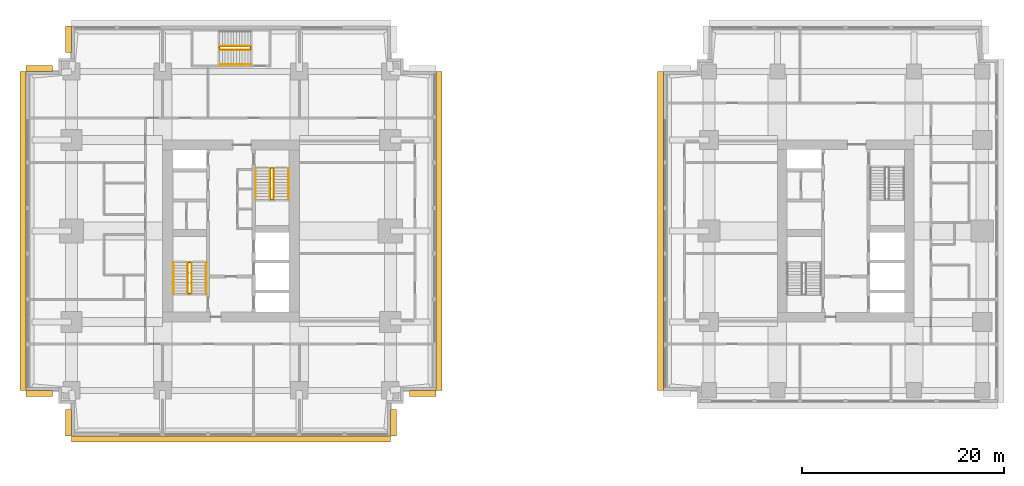
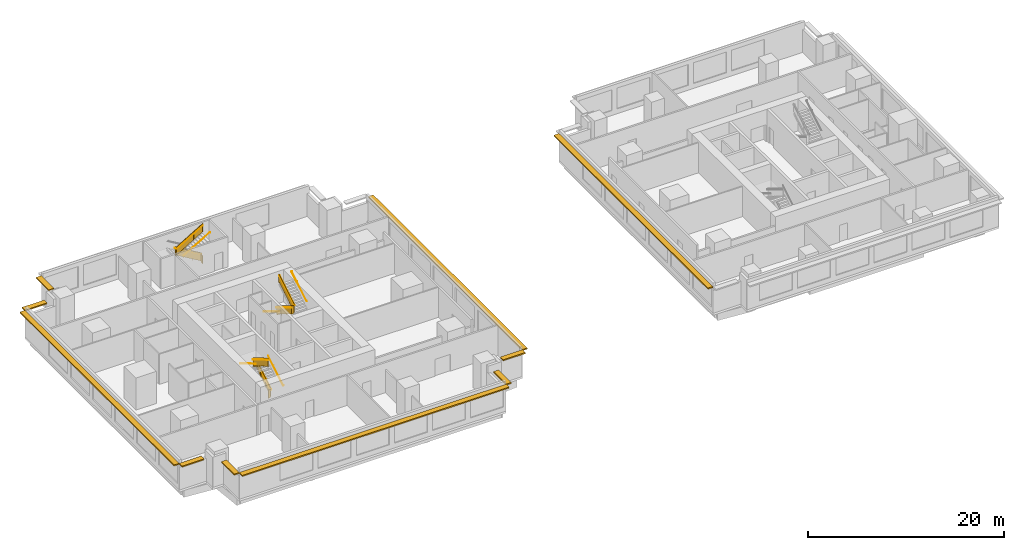
# One storey, part 9 of 10: 14 railings, 10 shading devices.
"""IFC4 building model written with IfcOpenShell, lengths in metres."""

from ifc_helpers import new_model, si_unit, direction, frame, origin, origin_2d, place, context, subcontext, project, spatial, polyline, rectangle, circle, outline, extrude, material, layer, layer_set, type_object, element, save


model = new_model("IFC4")

# Units and contexts
model_context = context("Model", 3, precision=1e-05, world=origin(), true_north=direction((0.0, 1.0)))
body_context = subcontext(model_context, "Body", "Model", "MODEL_VIEW")
ifc_project = project(units=[si_unit("LENGTHUNIT", "METRE"), si_unit("AREAUNIT", "SQUARE_METRE"), si_unit("VOLUMEUNIT", "CUBIC_METRE"), si_unit("PLANEANGLEUNIT", "RADIAN"), si_unit("MASSUNIT", "GRAM", prefix="KILO")], contexts=[model_context])

# Site, building, storey
site_placement = place(None, origin())
site = spatial("IfcSite", under=ifc_project, at=site_placement, CompositionType="ELEMENT")
building_placement = place(site_placement, origin())
building = spatial("IfcBuilding", under=site, at=building_placement, Name="Namib Vertical Campus", CompositionType="ELEMENT")
storey_placement = place(building_placement, frame((0.0, 0.0, 141.0)))
storey = spatial("IfcBuildingStorey", under=building, at=storey_placement, Name="L33", CompositionType="ELEMENT", Elevation=141.0)

# Railings
ifc_material_1 = material(Name="Steel handrail", Category="steel")
railing_type_1 = type_object("IfcRailingType", Name="Handrail 900", PredefinedType="HANDRAIL", material=ifc_material_1)
railing_1_placement = place(storey_placement, frame((17.800048828125, 14.050048828125, 0.166748046875)))
element("IfcRailing", 1, at=railing_1_placement, inside=storey, type_object=railing_type_1, Name="Handrail HR1 A-S1 L33 1", PredefinedType="HANDRAIL", context=body_context, shape_type="SweptSolid", body=[
    extrude(circle(Radius=0.02392578125, at=origin_2d()), frame((0.0, 0.0, 0.8759765625), z_axis=(0.0, 0.859290745958, 0.51148745235), x_axis=(-1.0, 0.0, 0.0)), (0.0, 0.0, 1.0), 3.584228515625),
    extrude(circle(Radius=0.008056640625, at=origin_2d()), frame((0.0, 0.0, 0.8759765625), z_axis=(1.0, 0.0, 0.0), x_axis=(0.0, 0.0, 1.0)), (0.0, 0.0, 1.0), 0.050048828125),
    extrude(circle(Radius=0.008056640625, at=origin_2d()), frame((0.0, 1.026611328125, 1.48681640625), z_axis=(1.0, 0.0, 0.0), x_axis=(0.0, 0.0, 1.0)), (0.0, 0.0, 1.0), 0.050048828125),
    extrude(circle(Radius=0.008056640625, at=origin_2d()), frame((0.0, 2.05322265625, 2.09814453125), z_axis=(1.0, 0.0, 0.0), x_axis=(0.0, 0.0, 1.0)), (0.0, 0.0, 1.0), 0.050048828125),
    extrude(circle(Radius=0.008056640625, at=origin_2d()), frame((0.0, 3.079833984375, 2.708984375), z_axis=(1.0, 0.0, 0.0), x_axis=(0.0, 0.0, 1.0)), (0.0, 0.0, 1.0), 0.050048828125),
])
railing_2_placement = place(storey_placement, frame((14.550048828125, 17.1298828125, 2.166748046875)))
element("IfcRailing", 2, at=railing_2_placement, inside=storey, type_object=railing_type_1, Name="Handrail HR1 A-S1 L33 2", PredefinedType="HANDRAIL", context=body_context, shape_type="SweptSolid", body=[
    extrude(circle(Radius=0.02392578125, at=origin_2d()), frame((0.0, 0.0, 0.8759765625), z_axis=(0.0, -0.859290745958, 0.51148745235), x_axis=(1.0, 0.0, 0.0)), (0.0, 0.0, 1.0), 3.584228515625),
    extrude(circle(Radius=0.008056640625, at=origin_2d()), frame((0.0, 0.0, 0.8759765625), z_axis=(-1.0, 0.0, 0.0), x_axis=(0.0, 0.0, 1.0)), (0.0, 0.0, 1.0), 0.050048828125),
    extrude(circle(Radius=0.008056640625, at=origin_2d()), frame((0.0, -1.026611328125, 1.48681640625), z_axis=(-1.0, 0.0, 0.0), x_axis=(0.0, 0.0, 1.0)), (0.0, 0.0, 1.0), 0.050048828125),
    extrude(circle(Radius=0.008056640625, at=origin_2d()), frame((0.0, -2.05322265625, 2.09814453125), z_axis=(-1.0, 0.0, 0.0), x_axis=(0.0, 0.0, 1.0)), (0.0, 0.0, 1.0), 0.050048828125),
    extrude(circle(Radius=0.008056640625, at=origin_2d()), frame((0.0, -3.079833984375, 2.708984375), z_axis=(-1.0, 0.0, 0.0), x_axis=(0.0, 0.0, 1.0)), (0.0, 0.0, 1.0), 0.050048828125),
])
railing_3_placement = place(storey_placement, frame((16.375, 14.050048828125, 0.166748046875)))
element("IfcRailing", 3, at=railing_3_placement, inside=storey, type_object=railing_type_1, Name="Handrail HR1 A-S1 L33 1 at the well", PredefinedType="HANDRAIL", context=body_context, shape_type="SweptSolid", body=[
    extrude(circle(Radius=0.02392578125, at=origin_2d()), frame((0.0, 0.0, 0.8759765625), z_axis=(0.0, 0.859290745958, 0.51148745235), x_axis=(-1.0, 0.0, 0.0)), (0.0, 0.0, 1.0), 3.584228515625),
    extrude(circle(Radius=0.008056640625, at=origin_2d()), frame((0.0, 0.0, 0.8759765625), z_axis=(-1.0, 0.0, 0.0), x_axis=(0.0, 0.0, 1.0)), (0.0, 0.0, 1.0), 0.0400390625),
    extrude(circle(Radius=0.008056640625, at=origin_2d()), frame((0.0, 1.026611328125, 1.48681640625), z_axis=(-1.0, 0.0, 0.0), x_axis=(0.0, 0.0, 1.0)), (0.0, 0.0, 1.0), 0.0400390625),
    extrude(circle(Radius=0.008056640625, at=origin_2d()), frame((0.0, 2.05322265625, 2.09814453125), z_axis=(-1.0, 0.0, 0.0), x_axis=(0.0, 0.0, 1.0)), (0.0, 0.0, 1.0), 0.0400390625),
    extrude(circle(Radius=0.008056640625, at=origin_2d()), frame((0.0, 3.079833984375, 2.708984375), z_axis=(-1.0, 0.0, 0.0), x_axis=(0.0, 0.0, 1.0)), (0.0, 0.0, 1.0), 0.0400390625),
])
railing_4_placement = place(storey_placement, frame((15.97509765625, 17.1298828125, 2.166748046875)))
element("IfcRailing", 4, at=railing_4_placement, inside=storey, type_object=railing_type_1, Name="Handrail HR1 A-S1 L33 2 at the well", PredefinedType="HANDRAIL", context=body_context, shape_type="SweptSolid", body=[
    extrude(circle(Radius=0.02392578125, at=origin_2d()), frame((0.0, 0.0, 0.8759765625), z_axis=(0.0, -0.859290745958, 0.51148745235), x_axis=(1.0, 0.0, 0.0)), (0.0, 0.0, 1.0), 3.584228515625),
    extrude(circle(Radius=0.008056640625, at=origin_2d()), frame((0.0, 0.0, 0.8759765625), z_axis=(1.0, 0.0, 0.0), x_axis=(0.0, 0.0, 1.0)), (0.0, 0.0, 1.0), 0.0400390625),
    extrude(circle(Radius=0.008056640625, at=origin_2d()), frame((0.0, -1.026611328125, 1.48681640625), z_axis=(1.0, 0.0, 0.0), x_axis=(0.0, 0.0, 1.0)), (0.0, 0.0, 1.0), 0.0400390625),
    extrude(circle(Radius=0.008056640625, at=origin_2d()), frame((0.0, -2.05322265625, 2.09814453125), z_axis=(1.0, 0.0, 0.0), x_axis=(0.0, 0.0, 1.0)), (0.0, 0.0, 1.0), 0.0400390625),
    extrude(circle(Radius=0.008056640625, at=origin_2d()), frame((0.0, -3.079833984375, 2.708984375), z_axis=(1.0, 0.0, 0.0), x_axis=(0.0, 0.0, 1.0)), (0.0, 0.0, 1.0), 0.0400390625),
])
railing_5_placement = place(storey_placement, frame((22.699951171875, 26.449951171875, 0.166748046875)))
element("IfcRailing", 5, at=railing_5_placement, inside=storey, type_object=railing_type_1, Name="Handrail HR1 A-S2 L33 1", PredefinedType="HANDRAIL", context=body_context, shape_type="SweptSolid", body=[
    extrude(circle(Radius=0.02392578125, at=origin_2d()), frame((0.0, 0.0, 0.8759765625), z_axis=(0.0, -0.859290745958, 0.51148745235), x_axis=(1.0, 0.0, 0.0)), (0.0, 0.0, 1.0), 3.584228515625),
    extrude(circle(Radius=0.008056640625, at=origin_2d()), frame((0.0, 0.0, 0.8759765625), z_axis=(-1.0, 0.0, 0.0), x_axis=(0.0, 0.0, 1.0)), (0.0, 0.0, 1.0), 0.050048828125),
    extrude(circle(Radius=0.008056640625, at=origin_2d()), frame((0.0, -1.026611328125, 1.48681640625), z_axis=(-1.0, 0.0, 0.0), x_axis=(0.0, 0.0, 1.0)), (0.0, 0.0, 1.0), 0.050048828125),
    extrude(circle(Radius=0.008056640625, at=origin_2d()), frame((0.0, -2.05322265625, 2.09814453125), z_axis=(-1.0, 0.0, 0.0), x_axis=(0.0, 0.0, 1.0)), (0.0, 0.0, 1.0), 0.050048828125),
    extrude(circle(Radius=0.008056640625, at=origin_2d()), frame((0.0, -3.079833984375, 2.708984375), z_axis=(-1.0, 0.0, 0.0), x_axis=(0.0, 0.0, 1.0)), (0.0, 0.0, 1.0), 0.050048828125),
])
railing_6_placement = place(storey_placement, frame((25.949951171875, 23.3701171875, 2.166748046875)))
element("IfcRailing", 6, at=railing_6_placement, inside=storey, type_object=railing_type_1, Name="Handrail HR1 A-S2 L33 2", PredefinedType="HANDRAIL", context=body_context, shape_type="SweptSolid", body=[
    extrude(circle(Radius=0.02392578125, at=origin_2d()), frame((0.0, 0.0, 0.8759765625), z_axis=(0.0, 0.859290745958, 0.51148745235), x_axis=(-1.0, 0.0, 0.0)), (0.0, 0.0, 1.0), 3.584228515625),
    extrude(circle(Radius=0.008056640625, at=origin_2d()), frame((0.0, 0.0, 0.8759765625), z_axis=(1.0, 0.0, 0.0), x_axis=(0.0, 0.0, 1.0)), (0.0, 0.0, 1.0), 0.050048828125),
    extrude(circle(Radius=0.008056640625, at=origin_2d()), frame((0.0, 1.026611328125, 1.48681640625), z_axis=(1.0, 0.0, 0.0), x_axis=(0.0, 0.0, 1.0)), (0.0, 0.0, 1.0), 0.050048828125),
    extrude(circle(Radius=0.008056640625, at=origin_2d()), frame((0.0, 2.05322265625, 2.09814453125), z_axis=(1.0, 0.0, 0.0), x_axis=(0.0, 0.0, 1.0)), (0.0, 0.0, 1.0), 0.050048828125),
    extrude(circle(Radius=0.008056640625, at=origin_2d()), frame((0.0, 3.079833984375, 2.708984375), z_axis=(1.0, 0.0, 0.0), x_axis=(0.0, 0.0, 1.0)), (0.0, 0.0, 1.0), 0.050048828125),
])
railing_7_placement = place(storey_placement, frame((24.125, 26.449951171875, 0.166748046875)))
element("IfcRailing", 7, at=railing_7_placement, inside=storey, type_object=railing_type_1, Name="Handrail HR1 A-S2 L33 1 at the well", PredefinedType="HANDRAIL", context=body_context, shape_type="SweptSolid", body=[
    extrude(circle(Radius=0.02392578125, at=origin_2d()), frame((0.0, 0.0, 0.8759765625), z_axis=(0.0, -0.859290745958, 0.51148745235), x_axis=(1.0, 0.0, 0.0)), (0.0, 0.0, 1.0), 3.584228515625),
    extrude(circle(Radius=0.008056640625, at=origin_2d()), frame((0.0, 0.0, 0.8759765625), z_axis=(1.0, 0.0, 0.0), x_axis=(0.0, 0.0, 1.0)), (0.0, 0.0, 1.0), 0.0400390625),
    extrude(circle(Radius=0.008056640625, at=origin_2d()), frame((0.0, -1.026611328125, 1.48681640625), z_axis=(1.0, 0.0, 0.0), x_axis=(0.0, 0.0, 1.0)), (0.0, 0.0, 1.0), 0.0400390625),
    extrude(circle(Radius=0.008056640625, at=origin_2d()), frame((0.0, -2.05322265625, 2.09814453125), z_axis=(1.0, 0.0, 0.0), x_axis=(0.0, 0.0, 1.0)), (0.0, 0.0, 1.0), 0.0400390625),
    extrude(circle(Radius=0.008056640625, at=origin_2d()), frame((0.0, -3.079833984375, 2.708984375), z_axis=(1.0, 0.0, 0.0), x_axis=(0.0, 0.0, 1.0)), (0.0, 0.0, 1.0), 0.0400390625),
])
railing_8_placement = place(storey_placement, frame((24.52490234375, 23.3701171875, 2.166748046875)))
element("IfcRailing", 8, at=railing_8_placement, inside=storey, type_object=railing_type_1, Name="Handrail HR1 A-S2 L33 2 at the well", PredefinedType="HANDRAIL", context=body_context, shape_type="SweptSolid", body=[
    extrude(circle(Radius=0.02392578125, at=origin_2d()), frame((0.0, 0.0, 0.8759765625), z_axis=(0.0, 0.859290745958, 0.51148745235), x_axis=(-1.0, 0.0, 0.0)), (0.0, 0.0, 1.0), 3.584228515625),
    extrude(circle(Radius=0.008056640625, at=origin_2d()), frame((0.0, 0.0, 0.8759765625), z_axis=(-1.0, 0.0, 0.0), x_axis=(0.0, 0.0, 1.0)), (0.0, 0.0, 1.0), 0.0400390625),
    extrude(circle(Radius=0.008056640625, at=origin_2d()), frame((0.0, 1.026611328125, 1.48681640625), z_axis=(-1.0, 0.0, 0.0), x_axis=(0.0, 0.0, 1.0)), (0.0, 0.0, 1.0), 0.0400390625),
    extrude(circle(Radius=0.008056640625, at=origin_2d()), frame((0.0, 2.05322265625, 2.09814453125), z_axis=(-1.0, 0.0, 0.0), x_axis=(0.0, 0.0, 1.0)), (0.0, 0.0, 1.0), 0.0400390625),
    extrude(circle(Radius=0.008056640625, at=origin_2d()), frame((0.0, 3.079833984375, 2.708984375), z_axis=(-1.0, 0.0, 0.0), x_axis=(0.0, 0.0, 1.0)), (0.0, 0.0, 1.0), 0.0400390625),
])
railing_9_placement = place(storey_placement, frame((19.1201171875, 36.699951171875, 2.166748046875)))
element("IfcRailing", 9, at=railing_9_placement, inside=storey, type_object=railing_type_1, Name="Handrail HR1 A-S3 L33 2", PredefinedType="HANDRAIL", context=body_context, shape_type="SweptSolid", body=[
    extrude(circle(Radius=0.02392578125, at=origin_2d()), frame((0.0, 0.0, 0.8759765625), z_axis=(0.859290745958, 0.0, 0.51148745235), x_axis=(0.0, 1.0, 0.0)), (0.0, 0.0, 1.0), 3.584228515625),
    extrude(circle(Radius=0.008056640625, at=origin_2d()), frame((0.0, 0.0, 0.8759765625), z_axis=(0.0, -1.0, 0.0), x_axis=(0.0, 0.0, 1.0)), (0.0, 0.0, 1.0), 0.050048828125),
    extrude(circle(Radius=0.008056640625, at=origin_2d()), frame((1.026611328125, 0.0, 1.48681640625), z_axis=(0.0, -1.0, 0.0), x_axis=(0.0, 0.0, 1.0)), (0.0, 0.0, 1.0), 0.050048828125),
    extrude(circle(Radius=0.008056640625, at=origin_2d()), frame((2.05322265625, 0.0, 2.09814453125), z_axis=(0.0, -1.0, 0.0), x_axis=(0.0, 0.0, 1.0)), (0.0, 0.0, 1.0), 0.050048828125),
    extrude(circle(Radius=0.008056640625, at=origin_2d()), frame((3.079833984375, 0.0, 2.708984375), z_axis=(0.0, -1.0, 0.0), x_axis=(0.0, 0.0, 1.0)), (0.0, 0.0, 1.0), 0.050048828125),
])
railing_10_placement = place(storey_placement, frame((22.199951171875, 38.52490234375, 0.166748046875)))
element("IfcRailing", 10, at=railing_10_placement, inside=storey, type_object=railing_type_1, Name="Handrail HR1 A-S3 L33 1 at the well", PredefinedType="HANDRAIL", context=body_context, shape_type="SweptSolid", body=[
    extrude(circle(Radius=0.02392578125, at=origin_2d()), frame((0.0, 0.0, 0.8759765625), z_axis=(-0.859290745958, 0.0, 0.51148745235), x_axis=(0.0, -1.0, 0.0)), (0.0, 0.0, 1.0), 3.584228515625),
    extrude(circle(Radius=0.008056640625, at=origin_2d()), frame((0.0, 0.0, 0.8759765625), z_axis=(0.0, -1.0, 0.0), x_axis=(0.0, 0.0, 1.0)), (0.0, 0.0, 1.0), 0.0400390625),
    extrude(circle(Radius=0.008056640625, at=origin_2d()), frame((-1.026611328125, 0.0, 1.48681640625), z_axis=(0.0, -1.0, 0.0), x_axis=(0.0, 0.0, 1.0)), (0.0, 0.0, 1.0), 0.0400390625),
    extrude(circle(Radius=0.008056640625, at=origin_2d()), frame((-2.05322265625, 0.0, 2.09814453125), z_axis=(0.0, -1.0, 0.0), x_axis=(0.0, 0.0, 1.0)), (0.0, 0.0, 1.0), 0.0400390625),
    extrude(circle(Radius=0.008056640625, at=origin_2d()), frame((-3.079833984375, 0.0, 2.708984375), z_axis=(0.0, -1.0, 0.0), x_axis=(0.0, 0.0, 1.0)), (0.0, 0.0, 1.0), 0.0400390625),
])
railing_11_placement = place(storey_placement, frame((19.1201171875, 38.125, 2.166748046875)))
element("IfcRailing", 11, at=railing_11_placement, inside=storey, type_object=railing_type_1, Name="Handrail HR1 A-S3 L33 2 at the well", PredefinedType="HANDRAIL", context=body_context, shape_type="SweptSolid", body=[
    extrude(circle(Radius=0.02392578125, at=origin_2d()), frame((0.0, 0.0, 0.8759765625), z_axis=(0.859290745958, 0.0, 0.51148745235), x_axis=(0.0, 1.0, 0.0)), (0.0, 0.0, 1.0), 3.584228515625),
    extrude(circle(Radius=0.008056640625, at=origin_2d()), frame((0.0, 0.0, 0.8759765625), z_axis=(0.0, 1.0, 0.0), x_axis=(0.0, 0.0, 1.0)), (0.0, 0.0, 1.0), 0.0400390625),
    extrude(circle(Radius=0.008056640625, at=origin_2d()), frame((1.026611328125, 0.0, 1.48681640625), z_axis=(0.0, 1.0, 0.0), x_axis=(0.0, 0.0, 1.0)), (0.0, 0.0, 1.0), 0.0400390625),
    extrude(circle(Radius=0.008056640625, at=origin_2d()), frame((2.05322265625, 0.0, 2.09814453125), z_axis=(0.0, 1.0, 0.0), x_axis=(0.0, 0.0, 1.0)), (0.0, 0.0, 1.0), 0.0400390625),
    extrude(circle(Radius=0.008056640625, at=origin_2d()), frame((3.079833984375, 0.0, 2.708984375), z_axis=(0.0, 1.0, 0.0), x_axis=(0.0, 0.0, 1.0)), (0.0, 0.0, 1.0), 0.0400390625),
])
ifc_material_2 = material(Name="Steel balustrade", Category="steel")
railing_type_2 = type_object("IfcRailingType", Name="Stair guard 1100", PredefinedType="GUARDRAIL", material=ifc_material_2)
railing_12_placement = place(storey_placement, frame((16.02490234375, 14.050048828125, 0.0)))
element("IfcRailing", 12, at=railing_12_placement, inside=storey, type_object=railing_type_2, Name="Stair guard GR1 A-S1 L33", PredefinedType="GUARDRAIL", context=body_context, shape_type="SweptSolid", body=[
    extrude(circle(Radius=0.02392578125, at=origin_2d()), frame((0.0, 0.0, 1.076171875), z_axis=(1.0, 0.0, 0.0), x_axis=(0.0, 1.0, 0.0)), (0.0, 0.0, 1.0), 0.300048828125),
    extrude(outline(polyline([(0.02099609375, 0.050048828125), (0.279052734375, 0.050048828125), (0.279052734375, 1.052001953125), (0.02099609375, 1.052001953125), (0.02099609375, 0.050048828125)])), frame((0.0, 0.010009765625, 0.0), z_axis=(0.0, -1.0, 0.0), x_axis=(1.0, 0.0, 0.0)), (0.0, 0.0, 1.0), 0.02001953125),
    extrude(circle(Radius=0.02392578125, at=origin_2d()), frame((0.300048828125, 0.0, 1.076171875), z_axis=(0.0, 0.0, 1.0), x_axis=(1.0, 0.0, 0.0)), (0.0, 0.0, 1.0), 0.166748046875),
    extrude(circle(Radius=0.02392578125, at=origin_2d()), frame((0.300048828125, 0.0, 1.24267578125), z_axis=(0.0, 0.859290745958, 0.51148745235), x_axis=(-1.0, 0.0, 0.0)), (0.0, 0.0, 1.0), 3.584228515625),
    extrude(outline(polyline([(0.02099609375, 0.0625), (3.058837890625, 1.870849609375), (3.058837890625, 2.872802734375), (0.02099609375, 1.064453125), (0.02099609375, 0.0625)])), frame((0.2900390625, 0.0, 0.166748046875), z_axis=(1.0, 0.0, 0.0), x_axis=(0.0, 1.0, 0.0)), (0.0, 0.0, 1.0), 0.02001953125),
    extrude(circle(Radius=0.02392578125, at=origin_2d()), frame((0.300048828125, 3.079833984375, 3.076171875), z_axis=(-1.0, 0.0, 0.0), x_axis=(0.0, -1.0, 0.0)), (0.0, 0.0, 1.0), 0.300048828125),
    extrude(outline(polyline([(0.02099609375, 0.050048828125), (0.279052734375, 0.050048828125), (0.279052734375, 1.052001953125), (0.02099609375, 1.052001953125), (0.02099609375, 0.050048828125)])), frame((0.300048828125, 3.06982421875, 2.0), z_axis=(0.0, 1.0, 0.0), x_axis=(-1.0, 0.0, 0.0)), (0.0, 0.0, 1.0), 0.02001953125),
    extrude(circle(Radius=0.02392578125, at=origin_2d()), frame((0.0, 3.079833984375, 3.076171875), z_axis=(0.0, 0.0, 1.0), x_axis=(1.0, 0.0, 0.0)), (0.0, 0.0, 1.0), 0.166748046875),
    extrude(circle(Radius=0.02392578125, at=origin_2d()), frame((0.0, 3.079833984375, 3.24267578125), z_axis=(0.0, -0.859290745958, 0.51148745235), x_axis=(1.0, 0.0, 0.0)), (0.0, 0.0, 1.0), 3.584228515625),
    extrude(outline(polyline([(0.02099609375, 0.0625), (3.058837890625, 1.870849609375), (3.058837890625, 2.872802734375), (0.02099609375, 1.064453125), (0.02099609375, 0.0625)])), frame((0.010009765625, 3.079833984375, 2.166748046875), z_axis=(-1.0, 0.0, 0.0), x_axis=(0.0, -1.0, 0.0)), (0.0, 0.0, 1.0), 0.02001953125),
    extrude(circle(Radius=0.02392578125, at=origin_2d()), frame((0.0, 0.0, 5.076171875), z_axis=(0.0, -1.0, 0.0), x_axis=(1.0, 0.0, 0.0)), (0.0, 0.0, 1.0), 0.050048828125),
    extrude(outline(polyline([(0.02099609375, 0.050048828125), (0.029052734375, 0.050048828125), (0.029052734375, 1.052001953125), (0.02099609375, 1.052001953125), (0.02099609375, 0.050048828125)])), frame((0.010009765625, 0.0, 4.0), z_axis=(-1.0, 0.0, 0.0), x_axis=(0.0, -1.0, 0.0)), (0.0, 0.0, 1.0), 0.02001953125),
    extrude(circle(Radius=0.02099609375, at=origin_2d()), origin(), (0.0, 0.0, 1.0), 1.052001953125),
    extrude(circle(Radius=0.02099609375, at=origin_2d()), frame((0.300048828125, 0.0, 0.166748046875)), (0.0, 0.0, 1.0), 1.052001953125),
    extrude(circle(Radius=0.02099609375, at=origin_2d()), frame((0.300048828125, 1.026611328125, 0.666748046875)), (0.0, 0.0, 1.0), 1.1630859375),
    extrude(circle(Radius=0.02099609375, at=origin_2d()), frame((0.300048828125, 2.05322265625, 1.33349609375)), (0.0, 0.0, 1.0), 1.107421875),
    extrude(circle(Radius=0.02099609375, at=origin_2d()), frame((0.300048828125, 3.079833984375, 2.0)), (0.0, 0.0, 1.0), 1.052001953125),
    extrude(circle(Radius=0.02099609375, at=origin_2d()), frame((0.0, 3.079833984375, 2.166748046875)), (0.0, 0.0, 1.0), 1.052001953125),
    extrude(circle(Radius=0.02099609375, at=origin_2d()), frame((0.0, 2.05322265625, 2.666748046875)), (0.0, 0.0, 1.0), 1.1630859375),
    extrude(circle(Radius=0.02099609375, at=origin_2d()), frame((0.0, 1.026611328125, 3.33349609375)), (0.0, 0.0, 1.0), 1.107421875),
    extrude(circle(Radius=0.02099609375, at=origin_2d()), frame((0.0, 0.0, 4.0)), (0.0, 0.0, 1.0), 1.052001953125),
    extrude(circle(Radius=0.02099609375, at=origin_2d()), frame((0.0, -0.050048828125, 4.0)), (0.0, 0.0, 1.0), 1.052001953125),
])
railing_13_placement = place(storey_placement, frame((24.47509765625, 26.449951171875, 0.0)))
element("IfcRailing", 13, at=railing_13_placement, inside=storey, type_object=railing_type_2, Name="Stair guard GR1 A-S2 L33", PredefinedType="GUARDRAIL", context=body_context, shape_type="SweptSolid", body=[
    extrude(circle(Radius=0.02392578125, at=origin_2d()), frame((0.0, 0.0, 1.076171875), z_axis=(-1.0, 0.0, 0.0), x_axis=(0.0, -1.0, 0.0)), (0.0, 0.0, 1.0), 0.300048828125),
    extrude(outline(polyline([(0.02099609375, 0.050048828125), (0.279052734375, 0.050048828125), (0.279052734375, 1.052001953125), (0.02099609375, 1.052001953125), (0.02099609375, 0.050048828125)])), frame((0.0, -0.010009765625, 0.0), z_axis=(0.0, 1.0, 0.0), x_axis=(-1.0, 0.0, 0.0)), (0.0, 0.0, 1.0), 0.02001953125),
    extrude(circle(Radius=0.02392578125, at=origin_2d()), frame((-0.300048828125, 0.0, 1.076171875), z_axis=(0.0, 0.0, 1.0), x_axis=(1.0, 0.0, 0.0)), (0.0, 0.0, 1.0), 0.166748046875),
    extrude(circle(Radius=0.02392578125, at=origin_2d()), frame((-0.300048828125, 0.0, 1.24267578125), z_axis=(0.0, -0.859290745958, 0.51148745235), x_axis=(1.0, 0.0, 0.0)), (0.0, 0.0, 1.0), 3.584228515625),
    extrude(outline(polyline([(0.02099609375, 0.0625), (3.058837890625, 1.870849609375), (3.058837890625, 2.872802734375), (0.02099609375, 1.064453125), (0.02099609375, 0.0625)])), frame((-0.2900390625, 0.0, 0.166748046875), z_axis=(-1.0, 0.0, 0.0), x_axis=(0.0, -1.0, 0.0)), (0.0, 0.0, 1.0), 0.02001953125),
    extrude(circle(Radius=0.02392578125, at=origin_2d()), frame((-0.300048828125, -3.079833984375, 3.076171875), z_axis=(1.0, 0.0, 0.0), x_axis=(0.0, 1.0, 0.0)), (0.0, 0.0, 1.0), 0.300048828125),
    extrude(outline(polyline([(0.02099609375, 0.050048828125), (0.279052734375, 0.050048828125), (0.279052734375, 1.052001953125), (0.02099609375, 1.052001953125), (0.02099609375, 0.050048828125)])), frame((-0.300048828125, -3.06982421875, 2.0), z_axis=(0.0, -1.0, 0.0), x_axis=(1.0, 0.0, 0.0)), (0.0, 0.0, 1.0), 0.02001953125),
    extrude(circle(Radius=0.02392578125, at=origin_2d()), frame((0.0, -3.079833984375, 3.076171875), z_axis=(0.0, 0.0, 1.0), x_axis=(1.0, 0.0, 0.0)), (0.0, 0.0, 1.0), 0.166748046875),
    extrude(circle(Radius=0.02392578125, at=origin_2d()), frame((0.0, -3.079833984375, 3.24267578125), z_axis=(0.0, 0.859290745958, 0.51148745235), x_axis=(-1.0, 0.0, 0.0)), (0.0, 0.0, 1.0), 3.584228515625),
    extrude(outline(polyline([(0.02099609375, 0.0625), (3.058837890625, 1.870849609375), (3.058837890625, 2.872802734375), (0.02099609375, 1.064453125), (0.02099609375, 0.0625)])), frame((-0.010009765625, -3.079833984375, 2.166748046875), z_axis=(1.0, 0.0, 0.0), x_axis=(0.0, 1.0, 0.0)), (0.0, 0.0, 1.0), 0.02001953125),
    extrude(circle(Radius=0.02392578125, at=origin_2d()), frame((0.0, 0.0, 5.076171875), z_axis=(0.0, 1.0, 0.0), x_axis=(-1.0, 0.0, 0.0)), (0.0, 0.0, 1.0), 0.050048828125),
    extrude(outline(polyline([(0.02099609375, 0.050048828125), (0.029052734375, 0.050048828125), (0.029052734375, 1.052001953125), (0.02099609375, 1.052001953125), (0.02099609375, 0.050048828125)])), frame((-0.010009765625, 0.0, 4.0), z_axis=(1.0, 0.0, 0.0), x_axis=(0.0, 1.0, 0.0)), (0.0, 0.0, 1.0), 0.02001953125),
    extrude(circle(Radius=0.02099609375, at=origin_2d()), origin(), (0.0, 0.0, 1.0), 1.052001953125),
    extrude(circle(Radius=0.02099609375, at=origin_2d()), frame((-0.300048828125, 0.0, 0.166748046875)), (0.0, 0.0, 1.0), 1.052001953125),
    extrude(circle(Radius=0.02099609375, at=origin_2d()), frame((-0.300048828125, -1.026611328125, 0.666748046875)), (0.0, 0.0, 1.0), 1.1630859375),
    extrude(circle(Radius=0.02099609375, at=origin_2d()), frame((-0.300048828125, -2.05322265625, 1.33349609375)), (0.0, 0.0, 1.0), 1.107421875),
    extrude(circle(Radius=0.02099609375, at=origin_2d()), frame((-0.300048828125, -3.079833984375, 2.0)), (0.0, 0.0, 1.0), 1.052001953125),
    extrude(circle(Radius=0.02099609375, at=origin_2d()), frame((0.0, -3.079833984375, 2.166748046875)), (0.0, 0.0, 1.0), 1.052001953125),
    extrude(circle(Radius=0.02099609375, at=origin_2d()), frame((0.0, -2.05322265625, 2.666748046875)), (0.0, 0.0, 1.0), 1.1630859375),
    extrude(circle(Radius=0.02099609375, at=origin_2d()), frame((0.0, -1.026611328125, 3.33349609375)), (0.0, 0.0, 1.0), 1.107421875),
    extrude(circle(Radius=0.02099609375, at=origin_2d()), frame((0.0, 0.0, 4.0)), (0.0, 0.0, 1.0), 1.052001953125),
    extrude(circle(Radius=0.02099609375, at=origin_2d()), frame((0.0, 0.050048828125, 4.0)), (0.0, 0.0, 1.0), 1.052001953125),
])
railing_14_placement = place(storey_placement, frame((22.199951171875, 38.175048828125, 0.0)))
element("IfcRailing", 14, at=railing_14_placement, inside=storey, type_object=railing_type_2, Name="Stair guard GR1 A-S3 L33", PredefinedType="GUARDRAIL", context=body_context, shape_type="SweptSolid", body=[
    extrude(circle(Radius=0.02392578125, at=origin_2d()), frame((0.0, 0.0, 1.076171875), z_axis=(0.0, 1.0, 0.0), x_axis=(-1.0, 0.0, 0.0)), (0.0, 0.0, 1.0), 0.300048828125),
    extrude(outline(polyline([(0.02099609375, 0.050048828125), (0.279052734375, 0.050048828125), (0.279052734375, 1.052001953125), (0.02099609375, 1.052001953125), (0.02099609375, 0.050048828125)])), frame((-0.010009765625, 0.0, 0.0), z_axis=(1.0, 0.0, 0.0), x_axis=(0.0, 1.0, 0.0)), (0.0, 0.0, 1.0), 0.02001953125),
    extrude(circle(Radius=0.02392578125, at=origin_2d()), frame((0.0, 0.300048828125, 1.076171875), z_axis=(0.0, 0.0, 1.0), x_axis=(1.0, 0.0, 0.0)), (0.0, 0.0, 1.0), 0.166748046875),
    extrude(circle(Radius=0.02392578125, at=origin_2d()), frame((0.0, 0.300048828125, 1.24267578125), z_axis=(-0.859290745958, 0.0, 0.51148745235), x_axis=(0.0, -1.0, 0.0)), (0.0, 0.0, 1.0), 3.584228515625),
    extrude(outline(polyline([(0.02099609375, 0.0625), (3.058837890625, 1.870849609375), (3.058837890625, 2.872802734375), (0.02099609375, 1.064453125), (0.02099609375, 0.0625)])), frame((0.0, 0.2900390625, 0.166748046875), z_axis=(0.0, 1.0, 0.0), x_axis=(-1.0, 0.0, 0.0)), (0.0, 0.0, 1.0), 0.02001953125),
    extrude(circle(Radius=0.02392578125, at=origin_2d()), frame((-3.079833984375, 0.300048828125, 3.076171875), z_axis=(0.0, -1.0, 0.0), x_axis=(1.0, 0.0, 0.0)), (0.0, 0.0, 1.0), 0.300048828125),
    extrude(outline(polyline([(0.02099609375, 0.050048828125), (0.279052734375, 0.050048828125), (0.279052734375, 1.052001953125), (0.02099609375, 1.052001953125), (0.02099609375, 0.050048828125)])), frame((-3.06982421875, 0.300048828125, 2.0), z_axis=(-1.0, 0.0, 0.0), x_axis=(0.0, -1.0, 0.0)), (0.0, 0.0, 1.0), 0.02001953125),
    extrude(circle(Radius=0.02392578125, at=origin_2d()), frame((-3.079833984375, 0.0, 3.076171875), z_axis=(0.0, 0.0, 1.0), x_axis=(1.0, 0.0, 0.0)), (0.0, 0.0, 1.0), 0.166748046875),
    extrude(circle(Radius=0.02392578125, at=origin_2d()), frame((-3.079833984375, 0.0, 3.24267578125), z_axis=(0.859290745958, 0.0, 0.51148745235), x_axis=(0.0, 1.0, 0.0)), (0.0, 0.0, 1.0), 3.584228515625),
    extrude(outline(polyline([(0.02099609375, 0.0625), (3.058837890625, 1.870849609375), (3.058837890625, 2.872802734375), (0.02099609375, 1.064453125), (0.02099609375, 0.0625)])), frame((-3.079833984375, 0.010009765625, 2.166748046875), z_axis=(0.0, -1.0, 0.0), x_axis=(1.0, 0.0, 0.0)), (0.0, 0.0, 1.0), 0.02001953125),
    extrude(circle(Radius=0.02392578125, at=origin_2d()), frame((0.0, 0.0, 5.076171875), z_axis=(1.0, 0.0, 0.0), x_axis=(0.0, 1.0, 0.0)), (0.0, 0.0, 1.0), 0.050048828125),
    extrude(outline(polyline([(0.02099609375, 0.050048828125), (0.029052734375, 0.050048828125), (0.029052734375, 1.052001953125), (0.02099609375, 1.052001953125), (0.02099609375, 0.050048828125)])), frame((0.0, 0.010009765625, 4.0), z_axis=(0.0, -1.0, 0.0), x_axis=(1.0, 0.0, 0.0)), (0.0, 0.0, 1.0), 0.02001953125),
    extrude(circle(Radius=0.02099609375, at=origin_2d()), origin(), (0.0, 0.0, 1.0), 1.052001953125),
    extrude(circle(Radius=0.02099609375, at=origin_2d()), frame((0.0, 0.300048828125, 0.166748046875)), (0.0, 0.0, 1.0), 1.052001953125),
    extrude(circle(Radius=0.02099609375, at=origin_2d()), frame((-1.026611328125, 0.300048828125, 0.666748046875)), (0.0, 0.0, 1.0), 1.1630859375),
    extrude(circle(Radius=0.02099609375, at=origin_2d()), frame((-2.05322265625, 0.300048828125, 1.33349609375)), (0.0, 0.0, 1.0), 1.107421875),
    extrude(circle(Radius=0.02099609375, at=origin_2d()), frame((-3.079833984375, 0.300048828125, 2.0)), (0.0, 0.0, 1.0), 1.052001953125),
    extrude(circle(Radius=0.02099609375, at=origin_2d()), frame((-3.079833984375, 0.0, 2.166748046875)), (0.0, 0.0, 1.0), 1.052001953125),
    extrude(circle(Radius=0.02099609375, at=origin_2d()), frame((-2.05322265625, 0.0, 2.666748046875)), (0.0, 0.0, 1.0), 1.1630859375),
    extrude(circle(Radius=0.02099609375, at=origin_2d()), frame((-1.026611328125, 0.0, 3.33349609375)), (0.0, 0.0, 1.0), 1.107421875),
    extrude(circle(Radius=0.02099609375, at=origin_2d()), frame((0.0, 0.0, 4.0)), (0.0, 0.0, 1.0), 1.052001953125),
    extrude(circle(Radius=0.02099609375, at=origin_2d()), frame((0.050048828125, 0.0, 4.0)), (0.0, 0.0, 1.0), 1.052001953125),
])

# Shading devices
ifc_material_3 = material(Name="Concrete C40/50 precast", Category="concrete")
ifc_layer = layer(ifc_material_3, 0.14990234375)
ifc_layer_set = layer_set([ifc_layer], Name="Concrete C40/50 precast")
shading_device_type = type_object("IfcShadingDeviceType", Name="Sunshade hood 600", PredefinedType="SHUTTER", material=ifc_layer_set)
shading_device_1_placement = place(storey_placement, frame((20.25, -0.300048828125, 3.199951171875), z_axis=(0.0, 0.0, 1.0), x_axis=(1.0, 0.0, 0.0)))
element("IfcShadingDevice", 15, at=shading_device_1_placement, inside=storey, type_object=shading_device_type, Name="Sunshade SH3 L33 1", PredefinedType="SHUTTER", context=body_context, shape_type="SweptSolid", body=[
    extrude(rectangle(XDim=31.5, YDim=0.60009765625, at=origin_2d()), origin(), (0.0, 0.0, 1.0), 0.14990234375),
])
for number, where, z_axis, x_axis, name in (
    (16, (36.300048828125, 1.300048828125, 3.199951171875), (0.0, 0.0, 1.0), (0.0, 1.0, 0.0), "Sunshade SH3 L33 2"),
    (17, (39.199951171875, 4.199951171875, 3.199951171875), (0.0, 0.0, 1.0), (1.0, 0.0, 0.0), "Sunshade SH3 L33 5"),
):
    element("IfcShadingDevice", number, at=place(storey_placement, frame(where, z_axis=z_axis, x_axis=x_axis)), inside=storey, type_object=shading_device_type, Name=name, PredefinedType="SHUTTER", context=body_context, shape_type="SweptSolid", body=[
        extrude(rectangle(XDim=2.60009765625, YDim=0.60009765625, at=origin_2d()), origin(), (0.0, 0.0, 1.0), 0.14990234375),
    ])
shading_device_2_placement = place(storey_placement, frame((40.800048828125, 20.25, 3.199951171875), z_axis=(0.0, 0.0, 1.0), x_axis=(0.0, 1.0, 0.0)))
element("IfcShadingDevice", 18, at=shading_device_2_placement, inside=storey, type_object=shading_device_type, Name="Sunshade SH3 L33 6", PredefinedType="SHUTTER", context=body_context, shape_type="SweptSolid", body=[
    extrude(rectangle(XDim=31.5, YDim=0.60009765625, at=origin_2d()), origin(), (0.0, 0.0, 1.0), 0.14990234375),
])
for number, where, z_axis, x_axis, name in (
    (19, (4.199951171875, 39.199951171875, 3.199951171875), (0.0, 0.0, 1.0), (0.0, -1.0, 0.0), "Sunshade SH3 L33 12"),
    (20, (1.300048828125, 36.300048828125, 3.199951171875), (0.0, 0.0, 1.0), (-1.0, 0.0, 0.0), "Sunshade SH3 L33 15"),
):
    element("IfcShadingDevice", number, at=place(storey_placement, frame(where, z_axis=z_axis, x_axis=x_axis)), inside=storey, type_object=shading_device_type, Name=name, PredefinedType="SHUTTER", context=body_context, shape_type="SweptSolid", body=[
        extrude(rectangle(XDim=2.60009765625, YDim=0.60009765625, at=origin_2d()), origin(), (0.0, 0.0, 1.0), 0.14990234375),
    ])
shading_device_3_placement = place(storey_placement, frame((-0.300048828125, 20.25, 3.199951171875), z_axis=(0.0, 0.0, 1.0), x_axis=(0.0, -1.0, 0.0)))
element("IfcShadingDevice", 21, at=shading_device_3_placement, inside=storey, type_object=shading_device_type, Name="Sunshade SH3 L33 16", PredefinedType="SHUTTER", context=body_context, shape_type="SweptSolid", body=[
    extrude(rectangle(XDim=31.5, YDim=0.60009765625, at=origin_2d()), origin(), (0.0, 0.0, 1.0), 0.14990234375),
])
for number, where, z_axis, x_axis, name in (
    (22, (1.300048828125, 4.199951171875, 3.199951171875), (0.0, 0.0, 1.0), (1.0, 0.0, 0.0), "Sunshade SH3 L33 17"),
    (23, (4.199951171875, 1.300048828125, 3.199951171875), (0.0, 0.0, 1.0), (0.0, -1.0, 0.0), "Sunshade SH3 L33 20"),
):
    element("IfcShadingDevice", number, at=place(storey_placement, frame(where, z_axis=z_axis, x_axis=x_axis)), inside=storey, type_object=shading_device_type, Name=name, PredefinedType="SHUTTER", context=body_context, shape_type="SweptSolid", body=[
        extrude(rectangle(XDim=2.60009765625, YDim=0.60009765625, at=origin_2d()), origin(), (0.0, 0.0, 1.0), 0.14990234375),
    ])
shading_device_4_placement = place(storey_placement, frame((62.699951171875, 20.25, 3.199951171875), z_axis=(0.0, 0.0, 1.0), x_axis=(0.0, -1.0, 0.0)))
element("IfcShadingDevice", 24, at=shading_device_4_placement, inside=storey, type_object=shading_device_type, Name="Sunshade SH3 L33 12", PredefinedType="SHUTTER", context=body_context, shape_type="SweptSolid", body=[
    extrude(rectangle(XDim=31.5, YDim=0.60009765625, at=origin_2d()), origin(), (0.0, 0.0, 1.0), 0.14990234375),
])

save(model, "model.ifc")
